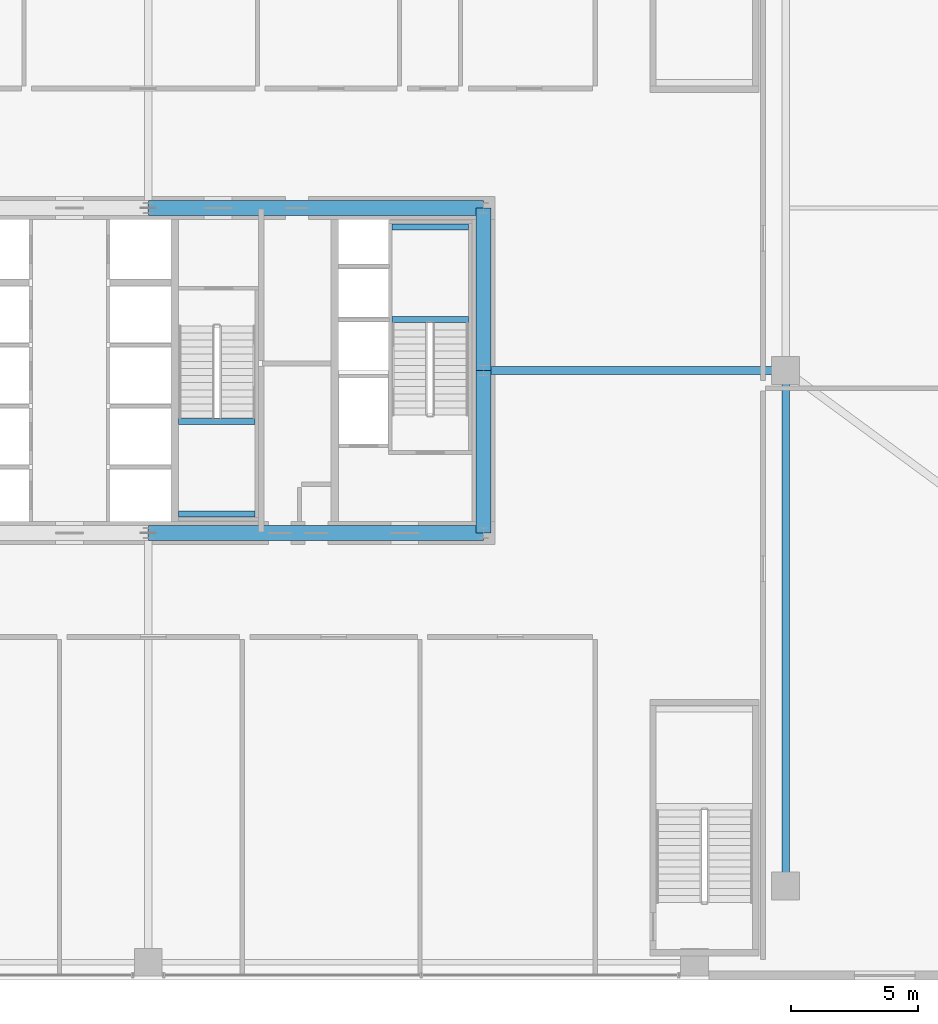
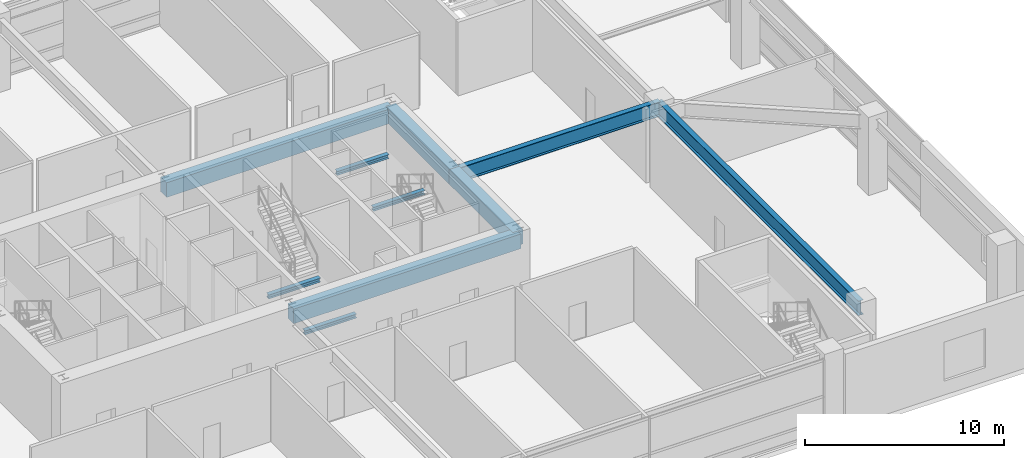
# One storey, part 16 of 39: 10 beams.
"""IFC4 building model written with IfcOpenShell, lengths in metres."""

from ifc_helpers import new_model, si_unit, direction, frame, origin, origin_2d, place, context, subcontext, project, spatial, rectangle, i_section, extrude, source, transform, mapped, material, material_profile, profile_set, type_object, element, save


model = new_model("IFC4")

# Units and contexts
model_context = context("Model", 3, precision=1e-05, world=origin(), true_north=direction((0.0, 1.0)))
body_context = subcontext(model_context, "Body", "Model", "MODEL_VIEW")
ifc_project = project(units=[si_unit("LENGTHUNIT", "METRE"), si_unit("AREAUNIT", "SQUARE_METRE"), si_unit("VOLUMEUNIT", "CUBIC_METRE"), si_unit("PLANEANGLEUNIT", "RADIAN"), si_unit("MASSUNIT", "GRAM", prefix="KILO"), si_unit("THERMODYNAMICTEMPERATUREUNIT", "KELVIN"), si_unit("POWERUNIT", "WATT")], contexts=[model_context])

# Site, building, storey
site_placement = place(None, origin())
site = spatial("IfcSite", under=ifc_project, at=site_placement, CompositionType="ELEMENT")
building_placement = place(site_placement, origin())
building = spatial("IfcBuilding", under=site, at=building_placement, Name="Yuzanri Waterfront Tower", CompositionType="ELEMENT")
storey_placement = place(building_placement, frame((0.0, 0.0, 15.0)))
storey = spatial("IfcBuildingStorey", under=building, at=storey_placement, Name="L04", CompositionType="ELEMENT", Elevation=15.0)

# Beams
ifc_material_1 = material(Name="Concrete C60", Category="concrete")
ifc_material_profile_1 = material_profile(ifc_material_1, rectangle(XDim=0.60009765625, YDim=0.89990234375, at=origin_2d()), Name="RC 600x900")
ifc_profile_set_1 = profile_set([ifc_material_profile_1], Name="Concrete C60")
beam_type_1 = type_object("IfcBeamType", Name="Core Coupling Lintel Concrete C60 600x900", PredefinedType="LINTEL", material=ifc_profile_set_1)
shared_shape_1 = source(origin(), body_context, "Body", "SweptSolid", [
    extrude(rectangle(XDim=0.60009765625, YDim=0.89990234375, at=origin_2d()), origin(), (0.0, 0.0, 1.0), 13.199951171875),
])
for number, where, z_axis, x_axis, name in (
    (1, (37.0, 19.39990234375, 4.070068359375), (1.0, 0.0, 0.0), (0.0, 1.0, 0.0), "L04 Core Tie Beam CS2"),
    (2, (37.0, 32.199951171875, 4.070068359375), (1.0, 0.0, 0.0), (0.0, 1.0, 0.0), "L04 Core Tie Beam CN2"),
):
    element("IfcBeam", number, at=place(storey_placement, frame(where, z_axis=z_axis, x_axis=x_axis)), inside=storey, type_object=beam_type_1, Name=name, PredefinedType="LINTEL", context=body_context, shape_type="MappedRepresentation", body=[
        mapped(shared_shape_1, transform((0.0, 0.0, 0.0), scale=1.0)),
    ])
shared_shape_2 = source(origin(), body_context, "Body", "SweptSolid", [
    extrude(rectangle(XDim=0.60009765625, YDim=0.89990234375, at=origin_2d()), origin(), (0.0, 0.0, 1.0), 6.400146484375),
])
beam_1_placement = place(storey_placement, frame((50.199951171875, 19.39990234375, 4.070068359375), z_axis=(0.0, 1.0, 0.0), x_axis=(-1.0, 0.0, 0.0)))
element("IfcBeam", 3, at=beam_1_placement, inside=storey, type_object=beam_type_1, Name="L04 Core Tie Beam CE1", PredefinedType="LINTEL", context=body_context, shape_type="MappedRepresentation", body=[
    mapped(shared_shape_2, transform((0.0, 0.0, 0.0), scale=1.0)),
])
shared_shape_3 = source(origin(), body_context, "Body", "SweptSolid", [
    extrude(rectangle(XDim=0.60009765625, YDim=0.89990234375, at=origin_2d()), origin(), (0.0, 0.0, 1.0), 6.39990234375),
])
beam_2_placement = place(storey_placement, frame((50.199951171875, 25.800048828125, 4.070068359375), z_axis=(0.0, 1.0, 0.0), x_axis=(-1.0, 0.0, 0.0)))
element("IfcBeam", 4, at=beam_2_placement, inside=storey, type_object=beam_type_1, Name="L04 Core Tie Beam CE2", PredefinedType="LINTEL", context=body_context, shape_type="MappedRepresentation", body=[
    mapped(shared_shape_3, transform((0.0, 0.0, 0.0), scale=1.0)),
])
ifc_material_2 = material(Name="Steel Q355B", Category="steel")
ifc_material_profile_2 = material_profile(ifc_material_2, i_section(OverallWidth=0.300048828125, OverallDepth=0.89990234375, WebThickness=0.01611328125, FlangeThickness=0.028076171875, at=origin_2d()), Name="HN 900x300x16x28")
ifc_profile_set_2 = profile_set([ifc_material_profile_2], Name="Steel Q355B")
beam_type_2 = type_object("IfcBeamType", Name="Primary Podium Girder Q355B HN 900x300", PredefinedType="BEAM", material=ifc_profile_set_2)
shared_shape_4 = source(origin(), body_context, "Body", "SweptSolid", [
    extrude(i_section(OverallWidth=0.300048828125, OverallDepth=0.89990234375, WebThickness=0.01611328125, FlangeThickness=0.028076171875, at=origin_2d()), origin(), (0.0, 0.0, 1.0), 11.900146484375),
])
beam_3_placement = place(storey_placement, frame((50.199951171875, 25.800048828125, 4.070068359375), z_axis=(1.0, 0.0, 0.0), x_axis=(0.0, 1.0, 0.0)))
element("IfcBeam", 5, at=beam_3_placement, inside=storey, type_object=beam_type_2, Name="L04 Podium East Girder 1", PredefinedType="BEAM", context=body_context, shape_type="MappedRepresentation", body=[
    mapped(shared_shape_4, transform((0.0, 0.0, 0.0), scale=1.0)),
])
shared_shape_5 = source(origin(), body_context, "Body", "SweptSolid", [
    extrude(i_section(OverallWidth=0.300048828125, OverallDepth=0.89990234375, WebThickness=0.01611328125, FlangeThickness=0.028076171875, at=origin_2d()), origin(), (0.0, 0.0, 1.0), 20.300048828125),
])
beam_4_placement = place(storey_placement, frame((62.10009765625, 5.5, 4.070068359375), z_axis=(0.0, 1.0, 0.0), x_axis=(-1.0, 0.0, 0.0)))
element("IfcBeam", 6, at=beam_4_placement, inside=storey, type_object=beam_type_2, Name="L04 Podium East Spine S", PredefinedType="BEAM", context=body_context, shape_type="MappedRepresentation", body=[
    mapped(shared_shape_5, transform((0.0, 0.0, 0.0), scale=1.0)),
])
ifc_material_3 = material(Name="Steel Q355B", Category="steel")
ifc_material_profile_3 = material_profile(ifc_material_3, i_section(OverallWidth=0.25, OverallDepth=0.25, WebThickness=0.009033203125, FlangeThickness=0.013916015625, at=origin_2d()), Name="HW 250x250x9x14")
ifc_profile_set_3 = profile_set([ifc_material_profile_3], Name="Steel Q355B")
beam_type_3 = type_object("IfcBeamType", Name="Stair Landing Support Beam Q355B HW 250x250", PredefinedType="BEAM", material=ifc_profile_set_3)
shared_shape_6 = source(origin(), body_context, "Body", "SweptSolid", [
    extrude(i_section(OverallWidth=0.25, OverallDepth=0.25, WebThickness=0.009033203125, FlangeThickness=0.013916015625, at=origin_2d()), origin(), (0.0, 0.0, 1.0), 3.0),
])
for number, where, z_axis, x_axis, name in (
    (7, (46.60009765625, 27.81005859375, 2.074951171875), (1.0, 0.0, 0.0), (0.0, 1.0, 0.0), "L04 Stair Landing Support Beam ST-02-L04-L1-1"),
    (8, (46.60009765625, 31.449951171875, 2.074951171875), (1.0, 0.0, 0.0), (0.0, 1.0, 0.0), "L04 Stair Landing Support Beam ST-02-L04-L1-2"),
    (9, (38.199951171875, 20.14990234375, 2.074951171875), (1.0, 0.0, 0.0), (0.0, 1.0, 0.0), "L04 Stair Landing Support Beam ST-03-L04-L1-1"),
    (10, (38.199951171875, 23.7900390625, 2.074951171875), (1.0, 0.0, 0.0), (0.0, 1.0, 0.0), "L04 Stair Landing Support Beam ST-03-L04-L1-2"),
):
    element("IfcBeam", number, at=place(storey_placement, frame(where, z_axis=z_axis, x_axis=x_axis)), inside=storey, type_object=beam_type_3, Name=name, PredefinedType="BEAM", context=body_context, shape_type="MappedRepresentation", body=[
        mapped(shared_shape_6, transform((0.0, 0.0, 0.0), scale=1.0)),
    ])

save(model, "model.ifc")
